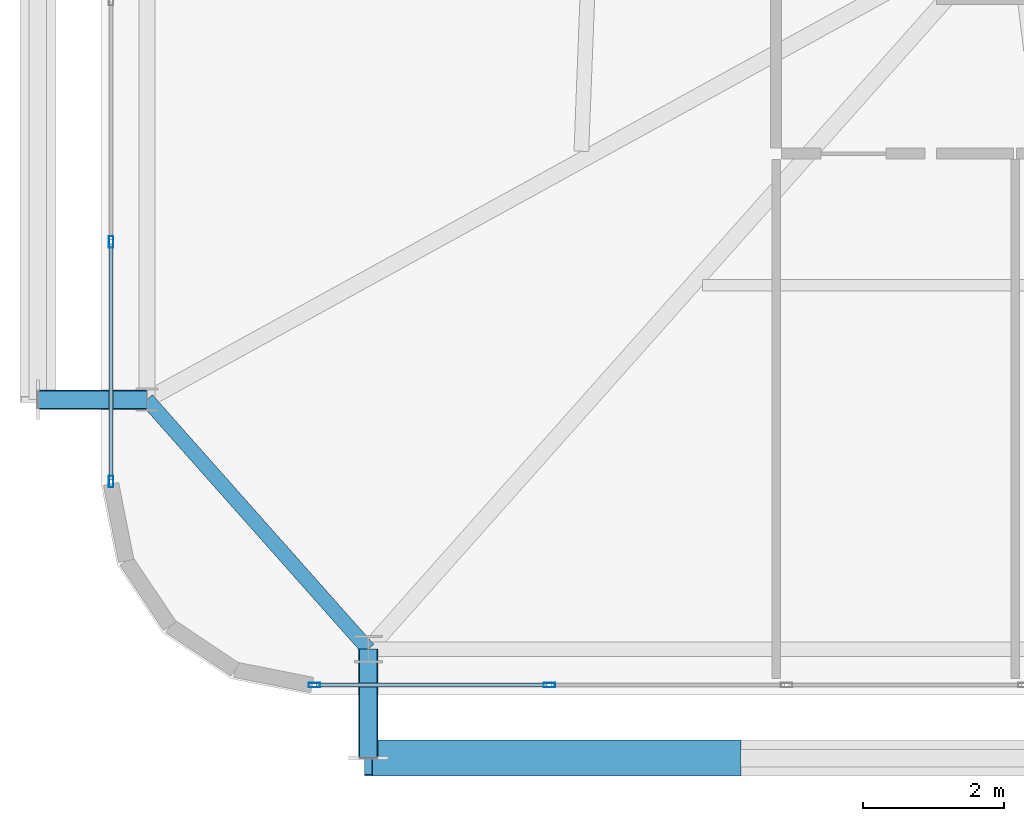
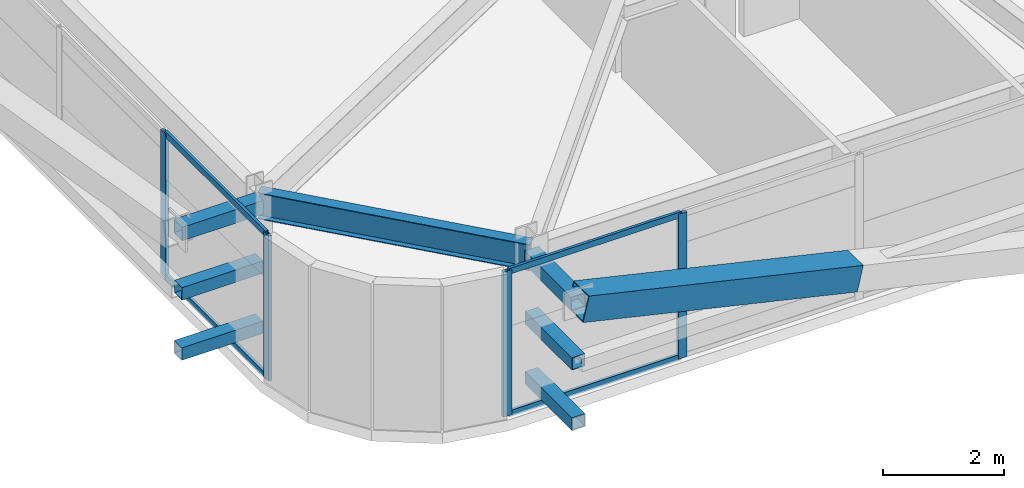
# One storey, part 5 of 59: 15 members, 1 beam, 2 elements without a shape of their own.
"""IFC4 building model written with IfcOpenShell, lengths in metres."""

from ifc_helpers import new_model, si_unit, direction, frame, origin, origin_2d, place, context, subcontext, project, spatial, hollow_rectangle, i_section, extrude, source, transform, mapped, material, layer, layer_set, material_profile, profile_set, type_object, element, aggregate, save


model = new_model("IFC4")

# Units and contexts
model_context = context("Model", 3, precision=1e-05, world=origin(), true_north=direction((0.0, 1.0)))
body_context = subcontext(model_context, "Body", "Model", "MODEL_VIEW")
ifc_project = project(units=[si_unit("LENGTHUNIT", "METRE"), si_unit("AREAUNIT", "SQUARE_METRE"), si_unit("VOLUMEUNIT", "CUBIC_METRE"), si_unit("PLANEANGLEUNIT", "RADIAN"), si_unit("MASSUNIT", "GRAM", prefix="KILO")], contexts=[model_context])

# Site, building, storey
site_placement = place(None, origin())
site = spatial("IfcSite", under=ifc_project, at=site_placement, CompositionType="ELEMENT")
building_placement = place(site_placement, origin())
building = spatial("IfcBuilding", under=site, at=building_placement, Name="Taldren Reach Tower", CompositionType="ELEMENT")
storey_placement = place(building_placement, frame((0.0, 0.0, 45.14990234375)))
storey = spatial("IfcBuildingStorey", under=building, at=storey_placement, Name="L13", CompositionType="ELEMENT", Elevation=45.14990234375)

# Beam
ifc_material_1 = material(Name="Steel Gr 350 (350PLUS)", Category="steel")
ifc_material_profile_1 = material_profile(ifc_material_1, i_section(OverallWidth=0.208984375, OverallDepth=0.528076171875, WebThickness=0.009521484375, FlangeThickness=0.01318359375, at=origin_2d()), Name="530UB82.0")
ifc_profile_set_1 = profile_set([ifc_material_profile_1], Name="Steel Gr 350 (350PLUS)")
beam_type = type_object("IfcBeamType", Name="SP-UB530B", PredefinedType="SPANDREL", material=ifc_profile_set_1)
shared_shape_1 = source(origin(), body_context, "Body", "SweptSolid", [
    extrude(i_section(OverallWidth=0.208984375, OverallDepth=0.528076171875, WebThickness=0.009521484375, FlangeThickness=0.01318359375, at=origin_2d()), origin(), (0.0, 0.0, 1.0), 4.74609375),
])
beam_placement = place(storey_placement, frame((5.64990234375, 5.699951171875, 2.666015625), z_axis=(0.663721843779, -0.747979487747, 0.0), x_axis=(0.747979487747, 0.663721843779, 0.0)))
element("IfcBeam", 1, at=beam_placement, inside=storey, type_object=beam_type, Name="Perimeter spandrel B1 W1-S1 L13", PredefinedType="SPANDREL", context=body_context, shape_type="MappedRepresentation", body=[
    mapped(shared_shape_1, transform((0.0, 0.0, 0.0), scale=1.0)),
])

# Members
ifc_material_2 = material(Name="Steel Gr 450 (C450L0)", Category="steel")
ifc_material_profile_2 = material_profile(ifc_material_2, hollow_rectangle(XDim=0.27490234375, YDim=0.27490234375, WallThickness=0.00927734375, at=origin_2d()), Name="275x275x9.3SHS")
ifc_profile_set_2 = profile_set([ifc_material_profile_2], Name="Steel Gr 450 (C450L0)")
member_type_1 = type_object("IfcMemberType", Name="MB-TIE273", PredefinedType="STRUT", material=ifc_profile_set_2)
shared_shape_2 = source(origin(), body_context, "Body", "SweptSolid", [
    extrude(hollow_rectangle(XDim=0.27490234375, YDim=0.27490234375, WallThickness=0.00927734375, at=origin_2d()), origin(), (0.0, 0.0, 1.0), 1.5498046875),
])
for number, where, z_axis, x_axis, name in (
    (2, (8.800048828125, 2.14990234375, 2.650146484375), (0.0, -1.0, 0.0), (1.0, 0.0, 0.0), "Exoskeleton diaphragm tie strut B1-S1 L13"),
    (3, (5.64990234375, 5.699951171875, 2.650146484375), (-1.0, 0.0, 0.0), (0.0, -1.0, 0.0), "Exoskeleton diaphragm tie strut B1-W1 L13"),
):
    element("IfcMember", number, at=place(storey_placement, frame(where, z_axis=z_axis, x_axis=x_axis)), inside=storey, type_object=member_type_1, Name=name, PredefinedType="STRUT", context=body_context, shape_type="MappedRepresentation", body=[
        mapped(shared_shape_2, transform((0.0, 0.0, 0.0), scale=1.0)),
    ])
ifc_material_profile_3 = material_profile(ifc_material_2, hollow_rectangle(XDim=0.510009765625, YDim=0.510009765625, WallThickness=0.02001953125, at=origin_2d()), Name="510x510x20.0SHS")
ifc_profile_set_3 = profile_set([ifc_material_profile_3], Name="Steel Gr 450 (C450L0)")
member_type_2 = type_object("IfcMemberType", Name="MB-EXO508", PredefinedType="BRACE", material=ifc_profile_set_3)
shared_shape_3 = source(origin(), body_context, "Body", "SweptSolid", [
    extrude(hollow_rectangle(XDim=0.510009765625, YDim=0.510009765625, WallThickness=0.02001953125, at=origin_2d()), origin(), (0.0, 0.0, 1.0), 5.37890625),
])
member_1_placement = place(storey_placement, frame((14.0400390625, 0.60009765625, 1.43505859375), z_axis=(-0.97415197996, 0.0, 0.225893603143), x_axis=(0.0, -1.0, 0.0)))
element("IfcMember", 4, at=member_1_placement, inside=storey, type_object=member_type_2, Name="Exoskeleton Diagrid Brace B1-S1 L13", PredefinedType="BRACE", context=body_context, shape_type="MappedRepresentation", body=[
    mapped(shared_shape_3, transform((0.0, 0.0, 0.0), scale=1.0)),
])
ifc_material_3 = material(Name="Steel Gr 350 (C350L0)", Category="steel")
ifc_material_profile_4 = material_profile(ifc_material_3, hollow_rectangle(XDim=0.25, YDim=0.25, WallThickness=0.010009765625, at=origin_2d()), Name="250x250x10.0SHS")
ifc_profile_set_4 = profile_set([ifc_material_profile_4], Name="Steel Gr 350 (C350L0)")
member_type_3 = type_object("IfcMemberType", Name="MB-POST250", PredefinedType="POST", material=ifc_profile_set_4)
shared_shape_4 = source(origin(), body_context, "Body", "SweptSolid", [
    extrude(hollow_rectangle(XDim=0.25, YDim=0.25, WallThickness=0.010009765625, at=origin_2d()), origin(), (0.0, 0.0, 1.0), 1.5498046875),
])
for number, where, z_axis, x_axis, name in (
    (5, (8.800048828125, 2.14990234375, 0.22021484375), (0.0, -1.0, 0.0), (1.0, 0.0, 0.0), "Exoskeleton base diaphragm tie strut B1-S1 L13"),
    (6, (5.64990234375, 5.699951171875, 0.22021484375), (-1.0, 0.0, 0.0), (0.0, -1.0, 0.0), "Exoskeleton base diaphragm tie strut B1-W1 L13"),
    (7, (8.800048828125, 2.14990234375, 1.43505859375), (0.0, -1.0, 0.0), (1.0, 0.0, 0.0), "Exoskeleton mid-tier diaphragm tie B1-S1 L13"),
    (8, (5.64990234375, 5.699951171875, 1.43505859375), (-1.0, 0.0, 0.0), (0.0, -1.0, 0.0), "Exoskeleton mid-tier diaphragm tie B1-W1 L13"),
):
    element("IfcMember", number, at=place(storey_placement, frame(where, z_axis=z_axis, x_axis=x_axis)), inside=storey, type_object=member_type_3, Name=name, PredefinedType="POST", context=body_context, shape_type="MappedRepresentation", body=[
        mapped(shared_shape_4, transform((0.0, 0.0, 0.0), scale=1.0)),
    ])

# Curtain wall, members
ifc_material_4 = material(Name="Aluminium and Low-E Glass Unitised System", Category="aluminium")
ifc_layer = layer(ifc_material_4, 0.159912109375)
ifc_layer_set = layer_set([ifc_layer], Name="Aluminium and Low-E Glass Unitised System")
curtain_wall_type = type_object("IfcCurtainWallType", Name="CW-SYS-2", PredefinedType="NOTDEFINED", material=ifc_layer_set)
curtain_wall_1_placement = place(storey_placement, origin())
curtain_wall_1 = element("IfcCurtainWall", 9, at=curtain_wall_1_placement, inside=storey, type_object=curtain_wall_type, Name="Unitised curtain wall CW-L13-S", PredefinedType="NOTDEFINED")
ifc_material_5 = material(Name="Anodised Aluminium 6063-T6", Category="aluminium")
ifc_material_profile_5 = material_profile(ifc_material_5, hollow_rectangle(XDim=0.054931640625, YDim=0.1201171875, WallThickness=0.0029296875, at=origin_2d()), Name="ALU-120x55x3RHS")
ifc_profile_set_5 = profile_set([ifc_material_profile_5], Name="Anodised Aluminium 6063-T6")
member_type_4 = type_object("IfcMemberType", Name="CW-TRN-135", PredefinedType="USERDEFINED", material=ifc_profile_set_5)
shared_shape_5 = source(origin(), body_context, "Body", "SweptSolid", [
    extrude(hollow_rectangle(XDim=0.054931640625, YDim=0.1201171875, WallThickness=0.0029296875, at=origin_2d()), origin(), (0.0, 0.0, 1.0), 3.277587890625),
])
member_2_placement = place(storey_placement, frame((8.06494140625, 1.639892578125, 0.027587890625), z_axis=(1.0, 0.0, 0.0), x_axis=(0.0, 1.0, 0.0)))
member_2 = element("IfcMember", 10, at=member_2_placement, type_object=member_type_4, Name="CW-2 transom 1.1", ObjectType="TRANSOM", PredefinedType="USERDEFINED", context=body_context, shape_type="MappedRepresentation", body=[
    mapped(shared_shape_5, transform((0.0, 0.0, 0.0), scale=1.0)),
])
member_3_placement = place(storey_placement, frame((8.06494140625, 1.639892578125, 2.902587890625), z_axis=(1.0, 0.0, 0.0), x_axis=(0.0, 1.0, 0.0)))
member_3 = element("IfcMember", 11, at=member_3_placement, type_object=member_type_4, Name="CW-2 transom 1.2", ObjectType="TRANSOM", PredefinedType="USERDEFINED", context=body_context, shape_type="MappedRepresentation", body=[
    mapped(shared_shape_5, transform((0.0, 0.0, 0.0), scale=1.0)),
])

curtain_wall_2_placement = place(storey_placement, origin())
curtain_wall_2 = element("IfcCurtainWall", 12, at=curtain_wall_2_placement, inside=storey, type_object=curtain_wall_type, Name="Unitised curtain wall CW-L13-W", PredefinedType="NOTDEFINED")
shared_shape_6 = source(origin(), body_context, "Body", "SweptSolid", [
    extrude(hollow_rectangle(XDim=0.054931640625, YDim=0.1201171875, WallThickness=0.0029296875, at=origin_2d()), origin(), (0.0, 0.0, 1.0), 3.346923828125),
])
member_4_placement = place(storey_placement, frame((5.139892578125, 7.911865234375, 0.027587890625), z_axis=(0.0, -1.0, 0.0), x_axis=(1.0, 0.0, 0.0)))
member_4 = element("IfcMember", 13, at=member_4_placement, type_object=member_type_4, Name="CW-2 transom 9.1", ObjectType="TRANSOM", PredefinedType="USERDEFINED", context=body_context, shape_type="MappedRepresentation", body=[
    mapped(shared_shape_6, transform((0.0, 0.0, 0.0), scale=1.0)),
])
member_5_placement = place(storey_placement, frame((5.139892578125, 7.911865234375, 2.902587890625), z_axis=(0.0, -1.0, 0.0), x_axis=(1.0, 0.0, 0.0)))
member_5 = element("IfcMember", 14, at=member_5_placement, type_object=member_type_4, Name="CW-2 transom 9.2", ObjectType="TRANSOM", PredefinedType="USERDEFINED", context=body_context, shape_type="MappedRepresentation", body=[
    mapped(shared_shape_6, transform((0.0, 0.0, 0.0), scale=1.0)),
])

# Member
ifc_material_profile_6 = material_profile(ifc_material_5, hollow_rectangle(XDim=0.06494140625, YDim=0.1650390625, WallThickness=0.00390625, at=origin_2d()), Name="ALU-165x65x4RHS")
ifc_profile_set_6 = profile_set([ifc_material_profile_6], Name="Anodised Aluminium 6063-T6")
member_type_5 = type_object("IfcMemberType", Name="CW-MUL-165", PredefinedType="MULLION", material=ifc_profile_set_6)
shared_shape_7 = source(origin(), body_context, "Body", "SweptSolid", [
    extrude(hollow_rectangle(XDim=0.06494140625, YDim=0.1650390625, WallThickness=0.00390625, at=origin_2d()), origin(), (0.0, 0.0, 1.0), 2.93017578125),
])
member_6_placement = place(storey_placement, frame((8.032470703125, 1.639892578125, 0.0), z_axis=(0.0, 0.0, 1.0), x_axis=(0.0, 1.0, 0.0)))
member_6 = element("IfcMember", 15, at=member_6_placement, type_object=member_type_5, Name="CW-2 mullion 1", PredefinedType="MULLION", context=body_context, shape_type="MappedRepresentation", body=[
    mapped(shared_shape_7, transform((0.0, 0.0, 0.0), scale=1.0)),
])

member_7_placement = place(storey_placement, frame((11.375, 1.639892578125, 0.0), z_axis=(0.0, 0.0, 1.0), x_axis=(0.0, 1.0, 0.0)))
member_7 = element("IfcMember", 16, at=member_7_placement, type_object=member_type_5, Name="CW-2 mullion 2", PredefinedType="MULLION", context=body_context, shape_type="MappedRepresentation", body=[
    mapped(shared_shape_7, transform((0.0, 0.0, 0.0), scale=1.0)),
])

aggregate(curtain_wall_1, [member_6, member_7, member_2, member_3])

member_8_placement = place(storey_placement, frame((5.139892578125, 7.9443359375, 0.0), z_axis=(0.0, 0.0, 1.0), x_axis=(1.0, 0.0, 0.0)))
member_8 = element("IfcMember", 17, at=member_8_placement, type_object=member_type_5, Name="CW-2 mullion 9", PredefinedType="MULLION", context=body_context, shape_type="MappedRepresentation", body=[
    mapped(shared_shape_7, transform((0.0, 0.0, 0.0), scale=1.0)),
])

member_9_placement = place(storey_placement, frame((5.139892578125, 4.532470703125, 0.0), z_axis=(0.0, 0.0, 1.0), x_axis=(1.0, 0.0, 0.0)))
member_9 = element("IfcMember", 18, at=member_9_placement, type_object=member_type_5, Name="CW-2 mullion 10", PredefinedType="MULLION", context=body_context, shape_type="MappedRepresentation", body=[
    mapped(shared_shape_7, transform((0.0, 0.0, 0.0), scale=1.0)),
])

aggregate(curtain_wall_2, [member_8, member_9, member_4, member_5])

save(model, "model.ifc")
